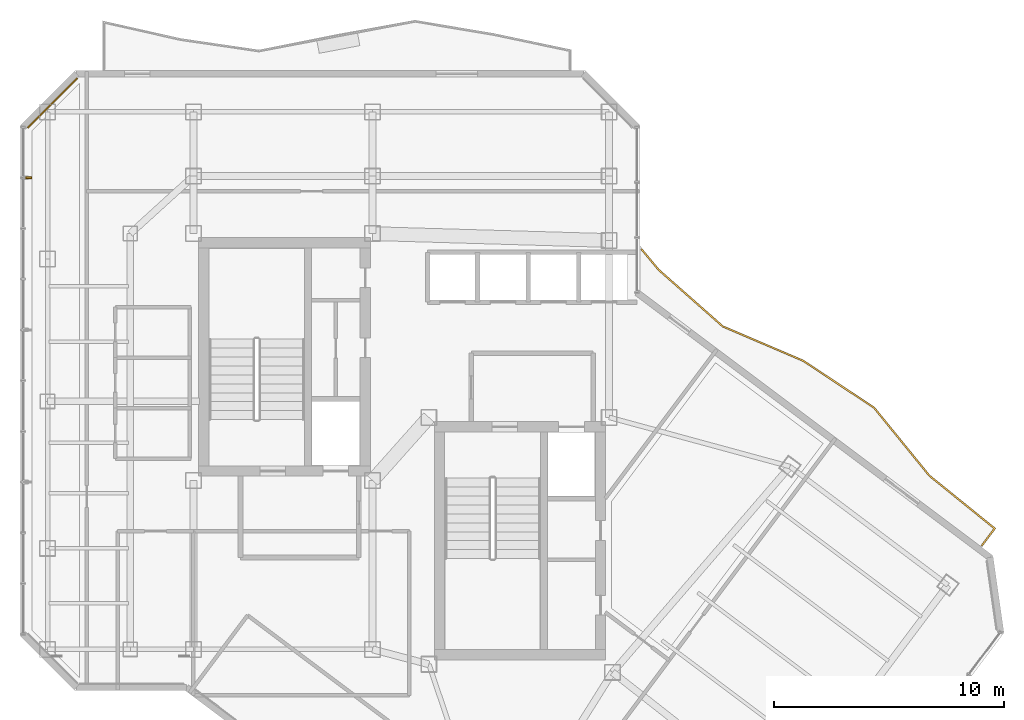
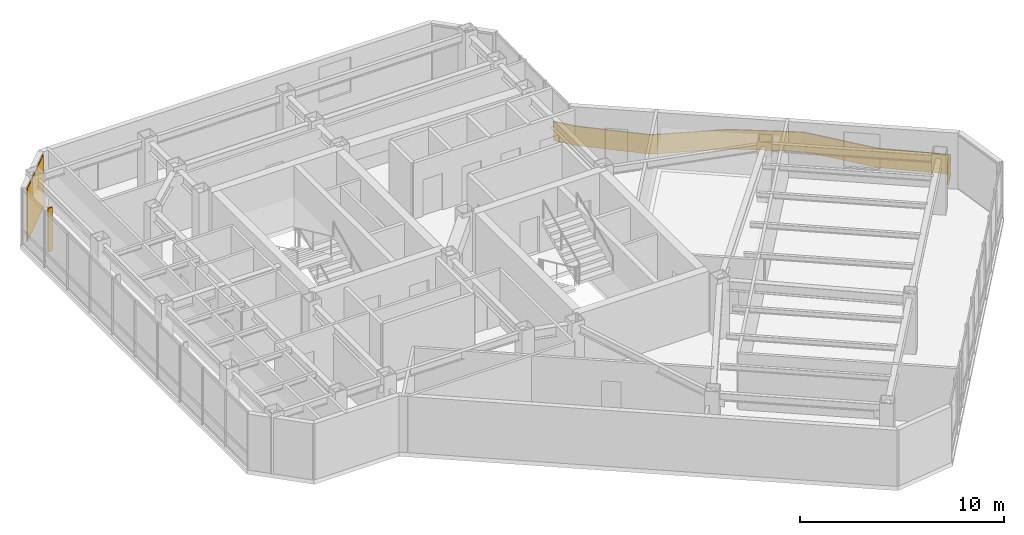
# One storey, part 24 of 25: 1 covering, 1 railing, 1 shading device.
"""IFC4 building model written with IfcOpenShell, lengths in metres."""

from ifc_helpers import new_model, si_unit, direction, frame, origin, origin_2d, place, context, subcontext, project, spatial, polyline, rectangle, outline, extrude, material, layer, layer_set, type_object, element, save


model = new_model("IFC4")

# Units and contexts
model_context = context("Model", 3, precision=1e-05, world=origin(), true_north=direction((0.0, 1.0)))
body_context = subcontext(model_context, "Body", "Model", "MODEL_VIEW")
ifc_project = project(units=[si_unit("LENGTHUNIT", "METRE"), si_unit("AREAUNIT", "SQUARE_METRE"), si_unit("VOLUMEUNIT", "CUBIC_METRE"), si_unit("PLANEANGLEUNIT", "RADIAN"), si_unit("MASSUNIT", "GRAM", prefix="KILO")], contexts=[model_context])

# Site, building, storey
site_placement = place(None, origin())
site = spatial("IfcSite", under=ifc_project, at=site_placement, CompositionType="ELEMENT")
building_placement = place(site_placement, origin())
building = spatial("IfcBuilding", under=site, at=building_placement, Name="Hatsunagi Terrace Concourse", CompositionType="ELEMENT")
storey_placement = place(building_placement, frame((0.0, 0.0, 220.35009765625)))
storey = spatial("IfcBuildingStorey", under=building, at=storey_placement, Name="L58", CompositionType="ELEMENT", Elevation=220.35009765625)

# Railing
ifc_material_1 = material(Name="Laminated Glass and Stainless Steel Guard", Category="steel")
ifc_layer_1 = layer(ifc_material_1, 0.070068359375)
ifc_layer_set_1 = layer_set([ifc_layer_1], Name="BalconyGlassGuardRail_1150")
railing_type = type_object("IfcRailingType", Name="BalconyGlassGuardRail_1150", PredefinedType="BALUSTRADE", material=ifc_layer_set_1)
railing_placement = place(storey_placement, origin())
element("IfcRailing", 1, at=railing_placement, inside=storey, type_object=railing_type, Name="Engawa Balcony Guard GRD-01 L58-BSE-1", PredefinedType="BALUSTRADE", context=body_context, shape_type="SweptSolid", body=[
    extrude(outline(polyline([(45.072998046875, 42.656494140625), (45.01904296875, 42.611572265625), (45.78076171875, 41.696533203125), (48.580078125, 39.22802734375), (52.08740234375, 37.72900390625), (55.1591796875, 35.69287109375), (57.564208984375, 32.737060546875), (60.3857421875, 30.455078125), (59.842041015625, 29.73095703125), (59.89794921875, 29.68896484375), (60.482421875, 30.467041015625), (57.61376953125, 32.786865234375), (55.206787109375, 35.7451171875), (52.12060546875, 37.791015625), (48.617919921875, 39.2880859375), (45.831298828125, 41.74560546875), (45.072998046875, 42.656494140625)])), origin(), (0.0, 0.0, 1.0), 1.14990234375),
])

# Shading device
ifc_material_2 = material(Name="Extruded Unglazed Terracotta Baguette", Category="masonry")
shading_device_type = type_object("IfcShadingDeviceType", Name="TerracottaFinScreen_260x70", PredefinedType="USERDEFINED", material=ifc_material_2)
shading_device_placement = place(storey_placement, frame((18.389892578125, 45.73388671875, 0.849853515625), z_axis=(0.0, 0.0, 1.0), x_axis=(0.0, 1.0, 0.0)))
element("IfcShadingDevice", 2, at=shading_device_placement, inside=storey, type_object=shading_device_type, Name="Terracotta Baguette Fin Screen SCR-01", ObjectType="SUNSHADE", PredefinedType="USERDEFINED", context=body_context, shape_type="SweptSolid", body=[
    extrude(rectangle(XDim=0.070068359375, YDim=0.260009765625, at=origin_2d()), origin(), (0.0, 0.0, 1.0), 2.60009765625),
])

# Covering
ifc_material_3 = material(Name="Unglazed Warm Terracotta Rainscreen Tile", Category="masonry")
ifc_layer_2 = layer(ifc_material_3, 0.044921875)
ifc_layer_set_2 = layer_set([ifc_layer_2], Name="TerracottaRainscreenCladding_45")
covering_type = type_object("IfcCoveringType", Name="TerracottaRainscreenCladding_45", PredefinedType="CLADDING", material=ifc_layer_set_2)
covering_placement = place(storey_placement, frame((19.4140625, 48.986083984375, 0.099853515625), z_axis=(0.0, 0.0, 1.0), x_axis=(0.707106781187, 0.707106781187, 0.0)))
element("IfcCovering", 3, at=covering_placement, inside=storey, type_object=covering_type, Name="Terracotta Rainscreen Cladding L58-09", PredefinedType="CLADDING", context=body_context, shape_type="SweptSolid", body=[
    extrude(rectangle(XDim=3.0380859375, YDim=0.044921875, at=origin_2d()), origin(), (0.0, 0.0, 1.0), 3.14990234375),
])

save(model, "model.ifc")
